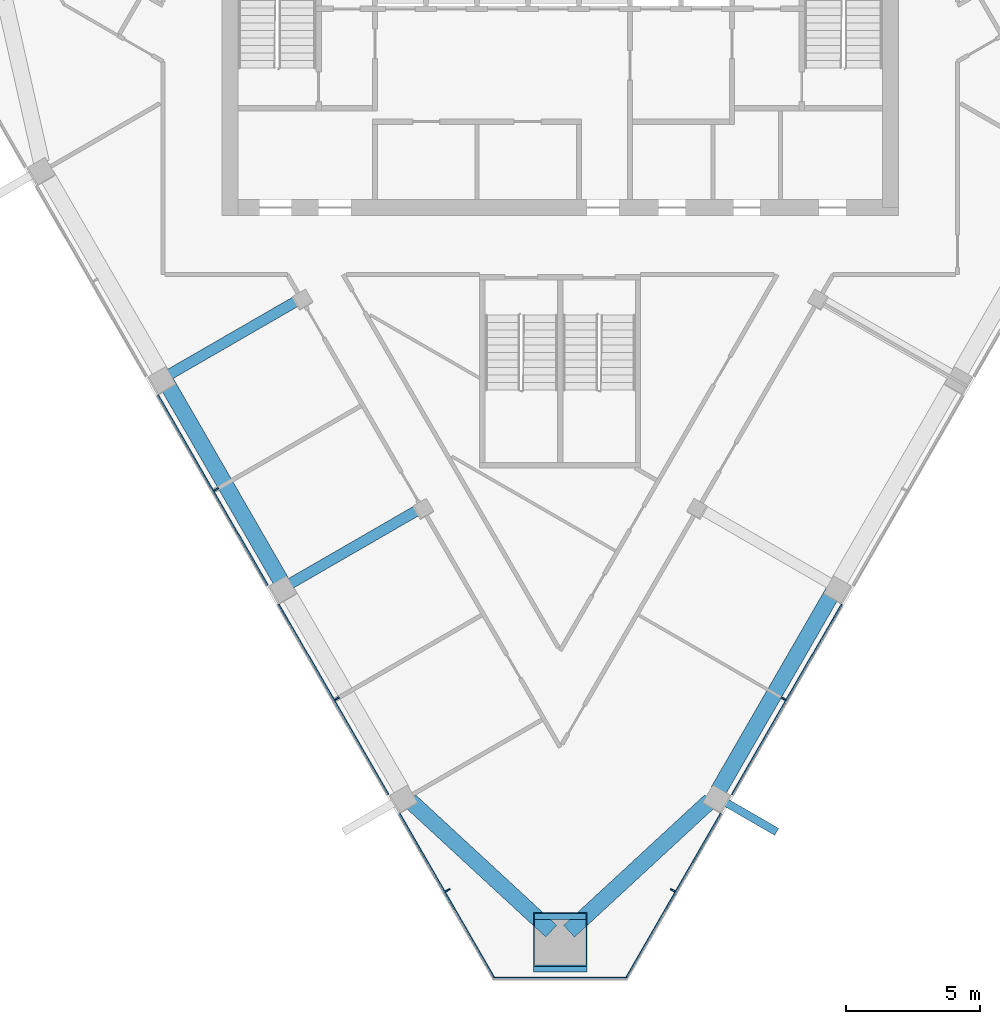
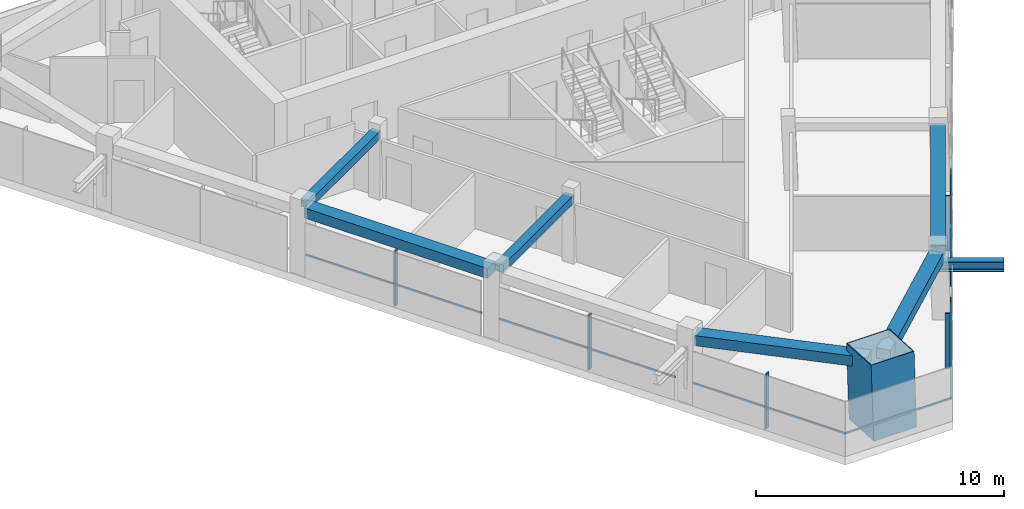
# One storey, part 2 of 12: 13 members, 6 beams, 3 elements without a shape of their own.
"""IFC4 building model written with IfcOpenShell, lengths in metres."""

from ifc_helpers import new_model, si_unit, direction, frame, origin, origin_2d, place, context, subcontext, project, spatial, rectangle, hollow_rectangle, i_section, extrude, material, layer, layer_set, material_profile, profile_set, type_object, element, aggregate, save


model = new_model("IFC4")

# Units and contexts
model_context = context("Model", 3, precision=1e-05, world=origin(), true_north=direction((0.0, 1.0)))
body_context = subcontext(model_context, "Body", "Model", "MODEL_VIEW")
ifc_project = project(units=[si_unit("LENGTHUNIT", "METRE"), si_unit("AREAUNIT", "SQUARE_METRE"), si_unit("VOLUMEUNIT", "CUBIC_METRE"), si_unit("PLANEANGLEUNIT", "RADIAN"), si_unit("MASSUNIT", "GRAM", prefix="KILO")], contexts=[model_context])

# Site, building, storey
site_placement = place(None, origin())
site = spatial("IfcSite", under=ifc_project, at=site_placement, CompositionType="ELEMENT")
building_placement = place(site_placement, origin())
building = spatial("IfcBuilding", under=site, at=building_placement, Name="Altiplano Prism Tower", CompositionType="ELEMENT")
storey_placement = place(building_placement, frame((0.0, 0.0, 260.800048828125)))
storey = spatial("IfcBuildingStorey", under=building, at=storey_placement, Name="L67", CompositionType="ELEMENT", Elevation=260.800048828125)

# Member
ifc_material_1 = material(Name="Steel S355", Category="steel")
ifc_material_profile_1 = material_profile(ifc_material_1, i_section(OverallWidth=0.300048828125, OverallDepth=0.5, WebThickness=0.014404296875, FlangeThickness=0.028076171875, FilletRadius=0.027099609375, at=origin_2d()), Name="Brace bracket HEB 500")
ifc_profile_set_1 = profile_set([ifc_material_profile_1], Name="Steel S355")
member_type_1 = type_object("IfcMemberType", Name="Brace bracket HEB 500", PredefinedType="STRUT", material=ifc_profile_set_1)
member_1_placement = place(storey_placement, frame((90.77197265625, 71.169921875, 2.39453125), z_axis=(0.866029095148, -0.499993606316, 0.0), x_axis=(0.499993606316, 0.866029095148, 0.0)))
element("IfcMember", 1, at=member_1_placement, inside=storey, type_object=member_type_1, Name="Brace bracket 2.264.4", PredefinedType="STRUT", context=body_context, shape_type="SweptSolid", body=[
    extrude(i_section(OverallWidth=0.300048828125, OverallDepth=0.5, WebThickness=0.014404296875, FlangeThickness=0.028076171875, FilletRadius=0.027099609375, at=origin_2d()), origin(), (0.0, 0.0, 1.0), 2.64990234375),
])

# Curtain wall, members
ifc_material_2 = material(Name="Aluminium and glass", Category="aluminium")
ifc_layer = layer(ifc_material_2, 0.303955078125)
ifc_layer_set = layer_set([ifc_layer], Name="Aluminium and glass")
curtain_wall_type = type_object("IfcCurtainWallType", Name="CW2 lounge-band unitised glazing", PredefinedType="NOTDEFINED", material=ifc_layer_set)
curtain_wall_1_placement = place(storey_placement, origin())
curtain_wall_1 = element("IfcCurtainWall", 2, at=curtain_wall_1_placement, inside=storey, type_object=curtain_wall_type, Name="CW2 curtain wall south-west face L67", PredefinedType="NOTDEFINED")
ifc_material_3 = material(Name="Aluminium", Category="aluminium")
ifc_material_profile_2 = material_profile(ifc_material_3, rectangle(XDim=0.199951171875, YDim=0.06005859375, at=origin_2d()), Name="CW2 mullion 60 x 200")
ifc_profile_set_2 = profile_set([ifc_material_profile_2], Name="Aluminium")
member_type_2 = type_object("IfcMemberType", Name="CW2 mullion 60 x 200", PredefinedType="MULLION", material=ifc_profile_set_2)
member_2_placement = place(storey_placement, frame((72.18505859375, 82.599853515625, 0.0), z_axis=(0.0, 0.0, 1.0), x_axis=(0.866025400163, 0.500000006273, 0.0)))
member_2 = element("IfcMember", 3, at=member_2_placement, type_object=member_type_2, Name="CW2 mullion", PredefinedType="MULLION", context=body_context, shape_type="SweptSolid", body=[
    extrude(rectangle(XDim=0.199951171875, YDim=0.06005859375, at=origin_2d()), origin(), (0.0, 0.0, 1.0), 2.699951171875),
])
member_3_placement = place(storey_placement, frame((76.68505859375, 74.8056640625, 0.0), z_axis=(0.0, 0.0, 1.0), x_axis=(0.866025400163, 0.500000006273, 0.0)))
member_3 = element("IfcMember", 4, at=member_3_placement, type_object=member_type_2, Name="CW2 mullion", PredefinedType="MULLION", context=body_context, shape_type="SweptSolid", body=[
    extrude(rectangle(XDim=0.199951171875, YDim=0.06005859375, at=origin_2d()), origin(), (0.0, 0.0, 1.0), 2.699951171875),
])
member_4_placement = place(storey_placement, frame((80.805419921875, 67.668701171875, 0.0), z_axis=(0.0, 0.0, 1.0), x_axis=(0.866025400163, 0.500000006273, 0.0)))
member_4 = element("IfcMember", 5, at=member_4_placement, type_object=member_type_2, Name="CW2 mullion", PredefinedType="MULLION", context=body_context, shape_type="SweptSolid", body=[
    extrude(rectangle(XDim=0.199951171875, YDim=0.06005859375, at=origin_2d()), origin(), (0.0, 0.0, 1.0), 2.699951171875),
])

curtain_wall_2_placement = place(storey_placement, origin())
curtain_wall_2 = element("IfcCurtainWall", 6, at=curtain_wall_2_placement, inside=storey, type_object=curtain_wall_type, Name="CW2 curtain wall south-east face L67", PredefinedType="NOTDEFINED")
member_5_placement = place(storey_placement, frame((89.194580078125, 67.668701171875, 0.0), z_axis=(0.0, 0.0, 1.0), x_axis=(-0.866025400163, 0.500000006273, 0.0)))
member_5 = element("IfcMember", 7, at=member_5_placement, type_object=member_type_2, Name="CW2 mullion", PredefinedType="MULLION", context=body_context, shape_type="SweptSolid", body=[
    extrude(rectangle(XDim=0.199951171875, YDim=0.06005859375, at=origin_2d()), origin(), (0.0, 0.0, 1.0), 2.699951171875),
])
member_6_placement = place(storey_placement, frame((93.31494140625, 74.8056640625, 0.0), z_axis=(0.0, 0.0, 1.0), x_axis=(-0.866025400163, 0.500000006273, 0.0)))
member_6 = element("IfcMember", 8, at=member_6_placement, type_object=member_type_2, Name="CW2 mullion", PredefinedType="MULLION", context=body_context, shape_type="SweptSolid", body=[
    extrude(rectangle(XDim=0.199951171875, YDim=0.06005859375, at=origin_2d()), origin(), (0.0, 0.0, 1.0), 2.699951171875),
])

# Member
ifc_material_profile_3 = material_profile(ifc_material_3, rectangle(XDim=0.06005859375, YDim=0.080078125, at=origin_2d()), Name="CW2 transom 80 x 60")
ifc_profile_set_3 = profile_set([ifc_material_profile_3], Name="Aluminium")
member_type_3 = type_object("IfcMemberType", Name="CW2 transom 80 x 60", PredefinedType="USERDEFINED", material=ifc_profile_set_3)
member_7_placement = place(storey_placement, frame((70.01025390625, 86.106689453125, 1.099853515625), z_axis=(0.499995783154, -0.866027838368, 0.0), x_axis=(0.866027838368, 0.499995783154, 0.0)))
member_7 = element("IfcMember", 9, at=member_7_placement, type_object=member_type_3, Name="CW2 transom", ObjectType="TRANSOM", PredefinedType="USERDEFINED", context=body_context, shape_type="SweptSolid", body=[
    extrude(rectangle(XDim=0.06005859375, YDim=0.080078125, at=origin_2d()), origin(), (0.0, 0.0, 1.0), 8.169921875),
])

member_8_placement = place(storey_placement, frame((74.51025390625, 78.3125, 1.099853515625), z_axis=(0.499995783154, -0.866027838368, 0.0), x_axis=(0.866027838368, 0.499995783154, 0.0)))
member_8 = element("IfcMember", 10, at=member_8_placement, type_object=member_type_3, Name="CW2 transom", ObjectType="TRANSOM", PredefinedType="USERDEFINED", context=body_context, shape_type="SweptSolid", body=[
    extrude(rectangle(XDim=0.06005859375, YDim=0.080078125, at=origin_2d()), origin(), (0.0, 0.0, 1.0), 8.169921875),
])

member_9_placement = place(storey_placement, frame((79.01025390625, 70.518310546875, 1.099853515625), z_axis=(0.499989102781, -0.866031695205, 0.0), x_axis=(0.866031695205, 0.499989102781, 0.0)))
member_9 = element("IfcMember", 11, at=member_9_placement, type_object=member_type_3, Name="CW2 transom", ObjectType="TRANSOM", PredefinedType="USERDEFINED", context=body_context, shape_type="SweptSolid", body=[
    extrude(rectangle(XDim=0.06005859375, YDim=0.080078125, at=origin_2d()), origin(), (0.0, 0.0, 1.0), 7.106689453125),
])

aggregate(curtain_wall_1, [member_2, member_7, member_3, member_8, member_4, member_9])

# Curtain wall, member
curtain_wall_3_placement = place(storey_placement, origin())
curtain_wall_3 = element("IfcCurtainWall", 12, at=curtain_wall_3_placement, inside=storey, type_object=curtain_wall_type, Name="CW2 curtain wall south chamfer L67", PredefinedType="NOTDEFINED")
member_10_placement = place(storey_placement, frame((82.499267578125, 64.40087890625, 1.099853515625), z_axis=(1.0, 0.0, 0.0), x_axis=(0.0, 1.0, 0.0)))
member_10 = element("IfcMember", 13, at=member_10_placement, type_object=member_type_3, Name="CW2 transom", ObjectType="TRANSOM", PredefinedType="USERDEFINED", context=body_context, shape_type="SweptSolid", body=[
    extrude(rectangle(XDim=0.06005859375, YDim=0.080078125, at=origin_2d()), origin(), (0.0, 0.0, 1.0), 5.00146484375),
])
aggregate(curtain_wall_3, [member_10])

# Member
member_11_placement = place(storey_placement, frame((87.4365234375, 64.36376953125, 1.099853515625), z_axis=(0.499989102781, 0.866031695205, 0.0), x_axis=(-0.866031695205, 0.499989102781, 0.0)))
member_11 = element("IfcMember", 14, at=member_11_placement, type_object=member_type_3, Name="CW2 transom", ObjectType="TRANSOM", PredefinedType="USERDEFINED", context=body_context, shape_type="SweptSolid", body=[
    extrude(rectangle(XDim=0.06005859375, YDim=0.080078125, at=origin_2d()), origin(), (0.0, 0.0, 1.0), 7.106689453125),
])

member_12_placement = place(storey_placement, frame((91.40478515625, 71.237060546875, 1.099853515625), z_axis=(0.499995783154, 0.866027838368, 0.0), x_axis=(-0.866027838368, 0.499995783154, 0.0)))
member_12 = element("IfcMember", 15, at=member_12_placement, type_object=member_type_3, Name="CW2 transom", ObjectType="TRANSOM", PredefinedType="USERDEFINED", context=body_context, shape_type="SweptSolid", body=[
    extrude(rectangle(XDim=0.06005859375, YDim=0.080078125, at=origin_2d()), origin(), (0.0, 0.0, 1.0), 8.169921875),
])

aggregate(curtain_wall_2, [member_5, member_11, member_6, member_12])

# Beams
ifc_material_4 = material(Name="Concrete C60/75", Category="concrete")
ifc_material_profile_4 = material_profile(ifc_material_4, rectangle(XDim=0.60009765625, YDim=0.5, at=origin_2d()), Name="Edge beam 600x500")
ifc_profile_set_4 = profile_set([ifc_material_profile_4], Name="Concrete C60/75")
beam_type_1 = type_object("IfcBeamType", Name="Edge beam 600x500", PredefinedType="SPANDREL", material=ifc_profile_set_4)
beam_1_placement = place(storey_placement, frame((70.343017578125, 86.559326171875, 2.949951171875), z_axis=(0.499994660107, -0.866028486751, 0.0), x_axis=(0.866028486751, 0.499994660107, 0.0)))
element("IfcBeam", 16, at=beam_1_placement, inside=storey, type_object=beam_type_1, Name="Edge beam P12-P13 L68", PredefinedType="SPANDREL", context=body_context, shape_type="SweptSolid", body=[
    extrude(rectangle(XDim=0.60009765625, YDim=0.5, at=origin_2d()), origin(), (0.0, 0.0, 1.0), 8.5400390625),
])
for number, where, z_axis, x_axis, name in (
    (17, (79.4091796875, 71.002685546875, 2.949951171875), (0.73449100727, -0.678618420204, 0.0), (0.678618420204, 0.73449100727, 0.0), "Edge beam P14-M1 L68"),
    (18, (85.33056640625, 66.142578125, 2.949951171875), (0.73449100727, 0.678618420204, 0.0), (-0.678618420204, 0.73449100727, 0.0), "Edge beam M1-P21 L68"),
):
    element("IfcBeam", number, at=place(storey_placement, frame(where, z_axis=z_axis, x_axis=x_axis)), inside=storey, type_object=beam_type_1, Name=name, PredefinedType="SPANDREL", context=body_context, shape_type="SweptSolid", body=[
        extrude(rectangle(XDim=0.60009765625, YDim=0.5, at=origin_2d()), origin(), (0.0, 0.0, 1.0), 7.161865234375),
    ])
beam_2_placement = place(storey_placement, frame((90.886962890625, 71.369140625, 2.949951171875), z_axis=(0.499994660107, 0.866028486751, 0.0), x_axis=(-0.866028486751, 0.499994660107, 0.0)))
element("IfcBeam", 19, at=beam_2_placement, inside=storey, type_object=beam_type_1, Name="Edge beam P21-P22 L68", PredefinedType="SPANDREL", context=body_context, shape_type="SweptSolid", body=[
    extrude(rectangle(XDim=0.60009765625, YDim=0.5, at=origin_2d()), origin(), (0.0, 0.0, 1.0), 8.5400390625),
])

# Member
ifc_material_5 = material(Name="Steel S460", Category="steel")
ifc_material_profile_5 = material_profile(ifc_material_5, hollow_rectangle(XDim=2.0, YDim=2.0, WallThickness=0.0400390625, at=origin_2d()), Name="Mega column tube 2000")
ifc_profile_set_5 = profile_set([ifc_material_profile_5], Name="Steel S460")
member_type_4 = type_object("IfcMemberType", Name="Mega column tube 2000", PredefinedType="POST", material=ifc_profile_set_5)
member_13_placement = place(storey_placement, frame((85.0, 65.626708984375, 0.0), z_axis=(0.0, 0.058360852261, 0.998295552892), x_axis=(-1.0, 0.0, 0.0)))
element("IfcMember", 20, at=member_13_placement, inside=storey, type_object=member_type_4, Name="Mega column tube M1 L67", PredefinedType="POST", context=body_context, shape_type="SweptSolid", body=[
    extrude(hollow_rectangle(XDim=2.0, YDim=2.0, WallThickness=0.0400390625, at=origin_2d()), origin(), (0.0, 0.0, 1.0), 3.60595703125),
])

# Beams
ifc_material_profile_6 = material_profile(ifc_material_4, rectangle(XDim=0.39990234375, YDim=0.39990234375, at=origin_2d()), Name="Tie beam 400x400")
ifc_profile_set_6 = profile_set([ifc_material_profile_6], Name="Concrete C60/75")
beam_type_2 = type_object("IfcBeamType", Name="Tie beam 400x400", PredefinedType="BEAM", material=ifc_profile_set_6)
for number, where, z_axis, x_axis, name in (
    (21, (75.35498046875, 89.718505859375, 3.0), (-0.866029822496, -0.499992346489, 0.0), (0.499992346489, -0.866029822496, 0.0), "Tie beam I12 L68"),
    (22, (79.85498046875, 81.92431640625, 3.0), (-0.866029822496, -0.499992346489, 0.0), (0.499992346489, -0.866029822496, 0.0), "Tie beam I13 L68"),
):
    element("IfcBeam", number, at=place(storey_placement, frame(where, z_axis=z_axis, x_axis=x_axis)), inside=storey, type_object=beam_type_2, Name=name, PredefinedType="BEAM", context=body_context, shape_type="SweptSolid", body=[
        extrude(rectangle(XDim=0.39990234375, YDim=0.39990234375, at=origin_2d()), origin(), (0.0, 0.0, 1.0), 5.68994140625),
    ])

save(model, "model.ifc")
